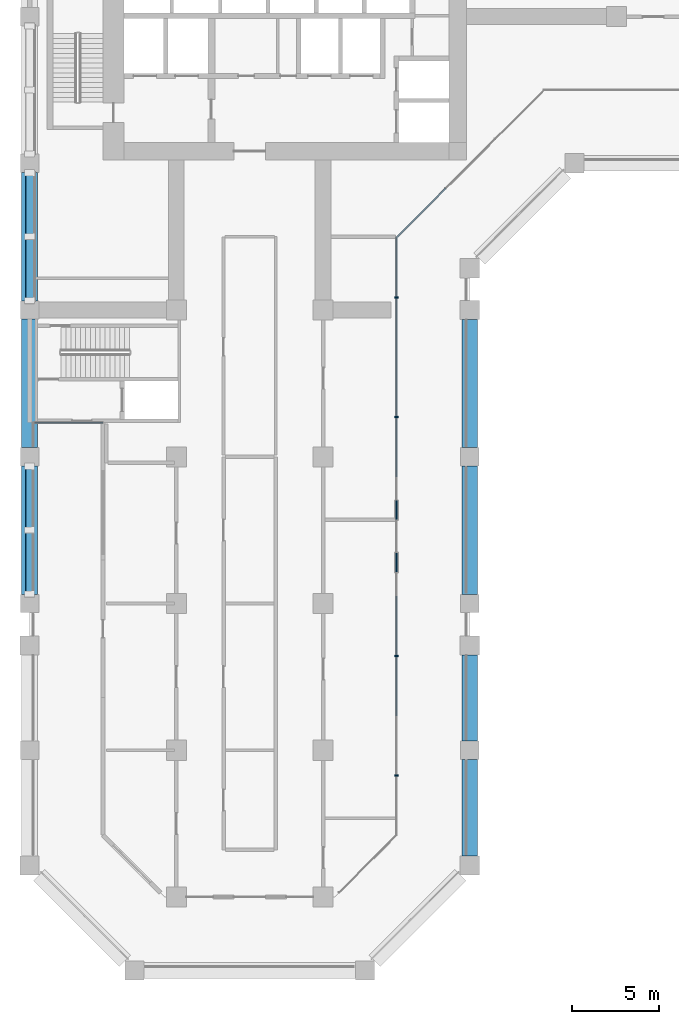
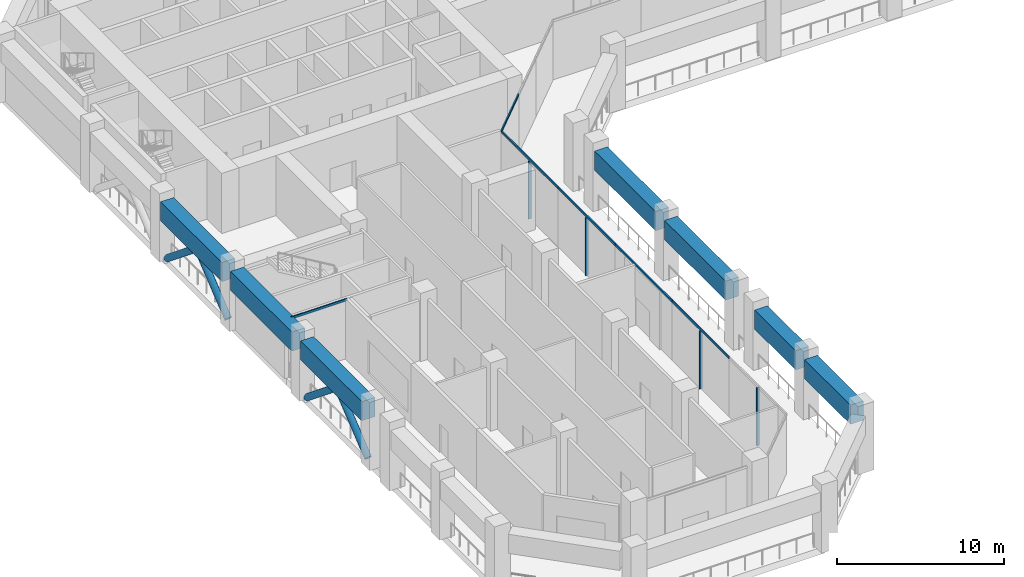
# One storey, part 2 of 19: 14 members, 7 beams, 3 elements without a shape of their own.
"""IFC4 building model written with IfcOpenShell, lengths in metres."""

from ifc_helpers import new_model, si_unit, direction, frame, origin, origin_2d, place, context, subcontext, project, spatial, rectangle, hollow_circle, extrude, material, layer, layer_set, material_profile, profile_set, type_object, element, aggregate, save


model = new_model("IFC4")

# Units and contexts
model_context = context("Model", 3, precision=1e-05, world=origin(), true_north=direction((0.0, 1.0)))
body_context = subcontext(model_context, "Body", "Model", "MODEL_VIEW")
ifc_project = project(units=[si_unit("LENGTHUNIT", "METRE"), si_unit("AREAUNIT", "SQUARE_METRE"), si_unit("VOLUMEUNIT", "CUBIC_METRE"), si_unit("PLANEANGLEUNIT", "RADIAN"), si_unit("MASSUNIT", "GRAM", prefix="KILO")], contexts=[model_context])

# Site, building, storey
site_placement = place(None, origin())
site = spatial("IfcSite", under=ifc_project, at=site_placement, CompositionType="ELEMENT")
building_placement = place(site_placement, origin())
building = spatial("IfcBuilding", under=site, at=building_placement, Name="Kawkab Arch Medical Tower", CompositionType="ELEMENT")
storey_placement = place(building_placement, frame((0.0, 0.0, 93.800048828125)))
storey = spatial("IfcBuildingStorey", under=building, at=storey_placement, Name="L21", CompositionType="ELEMENT", Elevation=93.800048828125)

# Members
ifc_material_1 = material(Name="Steel S355", Category="steel")
ifc_material_profile_1 = material_profile(ifc_material_1, hollow_circle(Radius=0.228515625, WallThickness=0.02001953125, at=origin_2d()), Name="CHS 457x20")
ifc_profile_set_1 = profile_set([ifc_material_profile_1], Name="Steel S355")
member_type_1 = type_object("IfcMemberType", Name="CHS 457x20 belt truss brace S355", PredefinedType="BRACE", material=ifc_profile_set_1)
member_1_placement = place(storey_placement, frame((0.0, -49.859619140625, 0.1259765625), z_axis=(0.0, 0.77696173889, 0.629547818916), x_axis=(-1.0, 0.0, 0.0)))
element("IfcMember", 1, at=member_1_placement, inside=storey, type_object=member_type_1, Name="Belt truss brace L21-W04A", PredefinedType="BRACE", context=body_context, shape_type="SweptSolid", body=[
    extrude(hollow_circle(Radius=0.228515625, WallThickness=0.02001953125, at=origin_2d()), origin(), (0.0, 0.0, 1.0), 4.7001953125),
])
member_2_placement = place(storey_placement, frame((0.0, -42.54052734375, 0.1259765625), z_axis=(0.0, -0.776941151094, 0.629573226667), x_axis=(1.0, 0.0, 0.0)))
element("IfcMember", 2, at=member_2_placement, inside=storey, type_object=member_type_1, Name="Belt truss brace L21-W04B", PredefinedType="BRACE", context=body_context, shape_type="SweptSolid", body=[
    extrude(hollow_circle(Radius=0.228515625, WallThickness=0.02001953125, at=origin_2d()), origin(), (0.0, 0.0, 1.0), 4.699951171875),
])
member_3_placement = place(storey_placement, frame((0.0, -33.0595703125, 0.1259765625), z_axis=(0.0, 0.77696173889, 0.629547818916), x_axis=(-1.0, 0.0, 0.0)))
element("IfcMember", 3, at=member_3_placement, inside=storey, type_object=member_type_1, Name="Belt truss brace L21-W05A", PredefinedType="BRACE", context=body_context, shape_type="SweptSolid", body=[
    extrude(hollow_circle(Radius=0.228515625, WallThickness=0.02001953125, at=origin_2d()), origin(), (0.0, 0.0, 1.0), 4.7001953125),
])
member_4_placement = place(storey_placement, frame((0.0, -25.740478515625, 0.1259765625), z_axis=(0.0, -0.776941151094, 0.629573226667), x_axis=(1.0, 0.0, 0.0)))
element("IfcMember", 4, at=member_4_placement, inside=storey, type_object=member_type_1, Name="Belt truss brace L21-W05B", PredefinedType="BRACE", context=body_context, shape_type="SweptSolid", body=[
    extrude(hollow_circle(Radius=0.228515625, WallThickness=0.02001953125, at=origin_2d()), origin(), (0.0, 0.0, 1.0), 4.699951171875),
])

# Curtain wall, members
ifc_material_2 = material(Name="Bronze anodised aluminium curtain wall frame", Category="aluminium")
ifc_layer = layer(ifc_material_2, 0.159912109375)
ifc_layer_set = layer_set([ifc_layer], Name="Bronze anodised aluminium curtain wall frame")
curtain_wall_type = type_object("IfcCurtainWallType", Name="CW4 refuge floor fire-protected glazing", PredefinedType="NOTDEFINED", material=ifc_layer_set)
placement = place(storey_placement, origin())
curtain_wall_1 = element("IfcCurtainWall", 5, at=placement, inside=storey, type_object=curtain_wall_type, Name="CW4 Refuge floor fire-protected glazing R09", PredefinedType="NOTDEFINED")
ifc_material_3 = material(Name="Bronze anodised aluminium curtain wall frame", Category="aluminium")
ifc_material_profile_2 = material_profile(ifc_material_3, rectangle(XDim=0.199951171875, YDim=0.080078125, at=origin_2d()), Name="AL 80x200")
ifc_profile_set_2 = profile_set([ifc_material_profile_2], Name="Bronze anodised aluminium curtain wall frame")
member_type_2 = type_object("IfcMemberType", Name="CW4 mullion 80 x 200", PredefinedType="MULLION", material=ifc_profile_set_2)
member_5_placement = place(storey_placement, frame((21.0, -60.239990234375, 0.0), z_axis=(0.0, 0.0, 1.0), x_axis=(-1.0, 0.0, 0.0)))
member_5 = element("IfcMember", 6, at=member_5_placement, type_object=member_type_2, Name="CW4 mullion 1.1", PredefinedType="MULLION", context=body_context, shape_type="SweptSolid", body=[
    extrude(rectangle(XDim=0.199951171875, YDim=0.080078125, at=origin_2d()), origin(), (0.0, 0.0, 1.0), 4.239990234375),
])
member_6_placement = place(storey_placement, frame((21.0, -53.39990234375, 0.0), z_axis=(0.0, 0.0, 1.0), x_axis=(-1.0, 0.0, 0.0)))
member_6 = element("IfcMember", 7, at=member_6_placement, type_object=member_type_2, Name="CW4 mullion 2.1", PredefinedType="MULLION", context=body_context, shape_type="SweptSolid", body=[
    extrude(rectangle(XDim=0.199951171875, YDim=0.080078125, at=origin_2d()), origin(), (0.0, 0.0, 1.0), 4.239990234375),
])
member_7_placement = place(storey_placement, frame((21.0, -39.719970703125, 0.0), z_axis=(0.0, 0.0, 1.0), x_axis=(-1.0, 0.0, 0.0)))
member_7 = element("IfcMember", 8, at=member_7_placement, type_object=member_type_2, Name="CW4 mullion 4.1", PredefinedType="MULLION", context=body_context, shape_type="SweptSolid", body=[
    extrude(rectangle(XDim=0.199951171875, YDim=0.080078125, at=origin_2d()), origin(), (0.0, 0.0, 1.0), 4.239990234375),
])
member_8_placement = place(storey_placement, frame((21.0, -32.8798828125, 0.0), z_axis=(0.0, 0.0, 1.0), x_axis=(-1.0, 0.0, 0.0)))
member_8 = element("IfcMember", 9, at=member_8_placement, type_object=member_type_2, Name="CW4 mullion 5.1", PredefinedType="MULLION", context=body_context, shape_type="SweptSolid", body=[
    extrude(rectangle(XDim=0.199951171875, YDim=0.080078125, at=origin_2d()), origin(), (0.0, 0.0, 1.0), 4.239990234375),
])

# Curtain wall, member
curtain_wall_2 = element("IfcCurtainWall", 10, at=placement, inside=storey, type_object=curtain_wall_type, Name="CW4 Refuge floor fire-protected glazing R04", PredefinedType="NOTDEFINED")
ifc_material_4 = material(Name="Bronze anodised aluminium curtain wall frame", Category="aluminium")
ifc_material_profile_3 = material_profile(ifc_material_4, rectangle(XDim=0.080078125, YDim=0.159912109375, at=origin_2d()), Name="AL 80x160")
ifc_profile_set_3 = profile_set([ifc_material_profile_3], Name="Bronze anodised aluminium curtain wall frame")
member_type_3 = type_object("IfcMemberType", Name="CW4 transom 160 x 80", PredefinedType="USERDEFINED", material=ifc_profile_set_3)
member_9_placement = place(storey_placement, frame((0.300048828125, -40.050048828125, 4.320068359375), z_axis=(1.0, 0.0, 0.0), x_axis=(0.0, 1.0, 0.0)))
member_9 = element("IfcMember", 11, at=member_9_placement, type_object=member_type_3, Name="CW4 transom 1", ObjectType="TRANSOM", PredefinedType="USERDEFINED", context=body_context, shape_type="SweptSolid", body=[
    extrude(rectangle(XDim=0.080078125, YDim=0.159912109375, at=origin_2d()), origin(), (0.0, 0.0, 1.0), 3.89990234375),
])
aggregate(curtain_wall_2, [member_9])

# Member
member_10_placement = place(storey_placement, frame((21.0, -56.820068359375, 4.320068359375), z_axis=(0.0, 1.0, 0.0), x_axis=(-1.0, 0.0, 0.0)))
member_10 = element("IfcMember", 12, at=member_10_placement, type_object=member_type_3, Name="CW4 transom 2", ObjectType="TRANSOM", PredefinedType="USERDEFINED", context=body_context, shape_type="SweptSolid", body=[
    extrude(rectangle(XDim=0.080078125, YDim=0.159912109375, at=origin_2d()), origin(), (0.0, 0.0, 1.0), 6.840087890625),
])

member_11_placement = place(storey_placement, frame((21.0, -49.97998046875, 4.320068359375), z_axis=(0.0, 1.0, 0.0), x_axis=(-1.0, 0.0, 0.0)))
member_11 = element("IfcMember", 13, at=member_11_placement, type_object=member_type_3, Name="CW4 transom 3", ObjectType="TRANSOM", PredefinedType="USERDEFINED", context=body_context, shape_type="SweptSolid", body=[
    extrude(rectangle(XDim=0.080078125, YDim=0.159912109375, at=origin_2d()), origin(), (0.0, 0.0, 1.0), 6.840087890625),
])

member_12_placement = place(storey_placement, frame((21.0, -43.139892578125, 4.320068359375), z_axis=(0.0, 1.0, 0.0), x_axis=(-1.0, 0.0, 0.0)))
member_12 = element("IfcMember", 14, at=member_12_placement, type_object=member_type_3, Name="CW4 transom 4", ObjectType="TRANSOM", PredefinedType="USERDEFINED", context=body_context, shape_type="SweptSolid", body=[
    extrude(rectangle(XDim=0.080078125, YDim=0.159912109375, at=origin_2d()), origin(), (0.0, 0.0, 1.0), 6.83984375),
])

member_13_placement = place(storey_placement, frame((21.0, -36.300048828125, 4.320068359375), z_axis=(0.0, 1.0, 0.0), x_axis=(-1.0, 0.0, 0.0)))
member_13 = element("IfcMember", 15, at=member_13_placement, type_object=member_type_3, Name="CW4 transom 5", ObjectType="TRANSOM", PredefinedType="USERDEFINED", context=body_context, shape_type="SweptSolid", body=[
    extrude(rectangle(XDim=0.080078125, YDim=0.159912109375, at=origin_2d()), origin(), (0.0, 0.0, 1.0), 6.840087890625),
])

aggregate(curtain_wall_1, [member_5, member_10, member_6, member_11, member_12, member_7, member_13, member_8])

# Curtain wall, member
curtain_wall_3 = element("IfcCurtainWall", 16, at=placement, inside=storey, type_object=curtain_wall_type, Name="CW4 Refuge floor fire-protected glazing R10", PredefinedType="NOTDEFINED")
member_14_placement = place(storey_placement, frame((21.0, -29.4599609375, 4.320068359375), z_axis=(0.707106781187, 0.707106781187, 0.0), x_axis=(-0.707106781187, 0.707106781187, 0.0)))
member_14 = element("IfcMember", 17, at=member_14_placement, type_object=member_type_3, Name="CW4 transom 1", ObjectType="TRANSOM", PredefinedType="USERDEFINED", context=body_context, shape_type="SweptSolid", body=[
    extrude(rectangle(XDim=0.080078125, YDim=0.159912109375, at=origin_2d()), origin(), (0.0, 0.0, 1.0), 3.98828125),
])
aggregate(curtain_wall_3, [member_14])

# Beams
ifc_material_5 = material(Name="Concrete C55/67", Category="concrete")
ifc_material_profile_4 = material_profile(ifc_material_5, rectangle(XDim=0.89990234375, YDim=1.39990234375, at=origin_2d()), Name="RC 900x1400")
ifc_profile_set_4 = profile_set([ifc_material_profile_4], Name="Concrete C55/67")
beam_type = type_object("IfcBeamType", Name="RC 900x1400 beam C55/67", PredefinedType="SPANDREL", material=ifc_profile_set_4)
beam_1_placement = place(storey_placement, frame((25.199951171875, -34.14990234375, 3.699951171875), z_axis=(0.0, -1.0, 0.0), x_axis=(1.0, 0.0, 0.0)))
element("IfcBeam", 18, at=beam_1_placement, inside=storey, type_object=beam_type, Name="Belt beam L21-20", PredefinedType="SPANDREL", context=body_context, shape_type="SweptSolid", body=[
    extrude(rectangle(XDim=0.89990234375, YDim=1.39990234375, at=origin_2d()), origin(), (0.0, 0.0, 1.0), 7.3251953125),
])
beam_2_placement = place(storey_placement, frame((25.199951171875, -42.52490234375, 3.699951171875), z_axis=(0.0, -1.0, 0.0), x_axis=(1.0, 0.0, 0.0)))
element("IfcBeam", 19, at=beam_2_placement, inside=storey, type_object=beam_type, Name="Belt beam L21-21", PredefinedType="SPANDREL", context=body_context, shape_type="SweptSolid", body=[
    extrude(rectangle(XDim=0.89990234375, YDim=1.39990234375, at=origin_2d()), origin(), (0.0, 0.0, 1.0), 7.35009765625),
])
beam_3_placement = place(storey_placement, frame((25.199951171875, -53.35009765625, 3.699951171875), z_axis=(0.0, -1.0, 0.0), x_axis=(1.0, 0.0, 0.0)))
element("IfcBeam", 20, at=beam_3_placement, inside=storey, type_object=beam_type, Name="Belt beam L21-23", PredefinedType="SPANDREL", context=body_context, shape_type="SweptSolid", body=[
    extrude(rectangle(XDim=0.89990234375, YDim=1.39990234375, at=origin_2d()), origin(), (0.0, 0.0, 1.0), 4.9248046875),
])
beam_4_placement = place(storey_placement, frame((25.199951171875, -59.324951171875, 3.699951171875), z_axis=(0.0, -1.0, 0.0), x_axis=(1.0, 0.0, 0.0)))
element("IfcBeam", 21, at=beam_4_placement, inside=storey, type_object=beam_type, Name="Belt beam L21-24", PredefinedType="SPANDREL", context=body_context, shape_type="SweptSolid", body=[
    extrude(rectangle(XDim=0.89990234375, YDim=1.39990234375, at=origin_2d()), origin(), (0.0, 0.0, 1.0), 5.525146484375),
])
for number, where, z_axis, x_axis, name in (
    (22, (0.0, -49.875, 3.699951171875), (0.0, 1.0, 0.0), (-1.0, 0.0, 0.0), "Belt beam L21-31"),
    (23, (0.0, -41.47509765625, 3.699951171875), (0.0, 1.0, 0.0), (-1.0, 0.0, 0.0), "Belt beam L21-32"),
):
    element("IfcBeam", number, at=place(storey_placement, frame(where, z_axis=z_axis, x_axis=x_axis)), inside=storey, type_object=beam_type, Name=name, PredefinedType="SPANDREL", context=body_context, shape_type="SweptSolid", body=[
        extrude(rectangle(XDim=0.89990234375, YDim=1.39990234375, at=origin_2d()), origin(), (0.0, 0.0, 1.0), 7.35009765625),
    ])
beam_5_placement = place(storey_placement, frame((0.0, -33.074951171875, 3.699951171875), z_axis=(0.0, 1.0, 0.0), x_axis=(-1.0, 0.0, 0.0)))
element("IfcBeam", 24, at=beam_5_placement, inside=storey, type_object=beam_type, Name="Belt beam L21-33", PredefinedType="SPANDREL", context=body_context, shape_type="SweptSolid", body=[
    extrude(rectangle(XDim=0.89990234375, YDim=1.39990234375, at=origin_2d()), origin(), (0.0, 0.0, 1.0), 7.349853515625),
])

save(model, "model.ifc")
